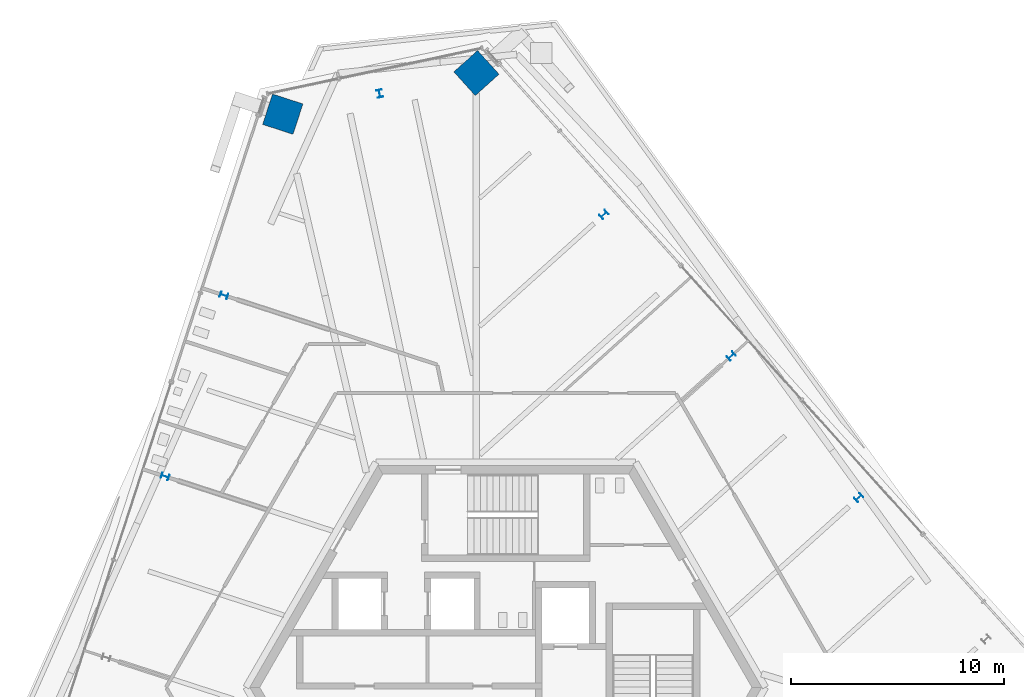
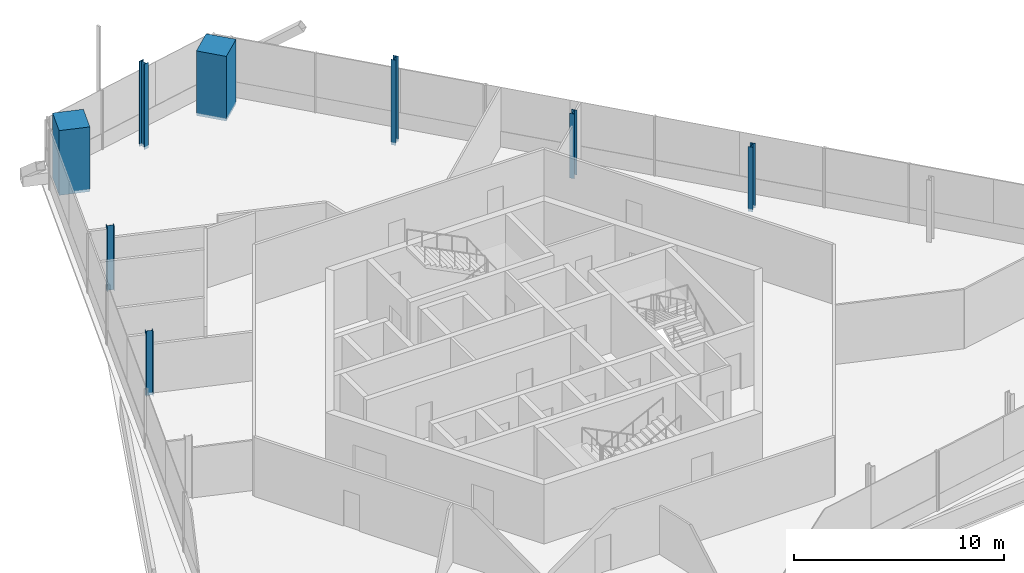
# One storey, part 3 of 20: 8 columns.
"""IFC4 building model written with IfcOpenShell, lengths in metres."""

from ifc_helpers import new_model, si_unit, direction, frame, origin, origin_2d, place, context, subcontext, project, spatial, rectangle, i_section, extrude, source, transform, mapped, material, material_profile, profile_set, type_object, element, save


model = new_model("IFC4")

# Units and contexts
model_context = context("Model", 3, precision=1e-05, world=origin(), true_north=direction((0.0, 1.0)))
body_context = subcontext(model_context, "Body", "Model", "MODEL_VIEW")
ifc_project = project(units=[si_unit("LENGTHUNIT", "METRE"), si_unit("AREAUNIT", "SQUARE_METRE"), si_unit("VOLUMEUNIT", "CUBIC_METRE"), si_unit("PLANEANGLEUNIT", "RADIAN"), si_unit("MASSUNIT", "GRAM", prefix="KILO")], contexts=[model_context])

# Site, building, storey
site_placement = place(None, origin())
site = spatial("IfcSite", under=ifc_project, at=site_placement, CompositionType="ELEMENT")
building_placement = place(site_placement, origin())
building = spatial("IfcBuilding", under=site, at=building_placement, Name="Triune Harvest Tower", CompositionType="ELEMENT")
storey_placement = place(building_placement, frame((0.0, 0.0, 259.5)))
storey = spatial("IfcBuildingStorey", under=building, at=storey_placement, Name="L68", CompositionType="ELEMENT", Elevation=259.5)

# Columns
ifc_material_1 = material(Name="Concrete 70 MPa", Category="concrete")
ifc_material_profile_1 = material_profile(ifc_material_1, rectangle(XDim=1.5, YDim=1.5, at=origin_2d()), Name="Composite 1500x1500")
ifc_profile_set_1 = profile_set([ifc_material_profile_1], Name="Concrete 70 MPa")
column_type_1 = type_object("IfcColumnType", Name="MC-7 Mega column Composite 1500x1500", PredefinedType="COLUMN", material=ifc_profile_set_1)
shared_shape_1 = source(origin(), body_context, "Body", "SweptSolid", [
    extrude(rectangle(XDim=1.5, YDim=1.5, at=origin_2d()), origin(), (0.0, 0.0, 1.0), 3.760009765625),
])
for number, where, z_axis, x_axis, name in (
    (1, (-1.376708984375, 28.794921875, -0.159912109375), (0.0, 0.0, 1.0), (-0.669130606359, 0.743144825477, 0.0), "col/L68/M5"),
    (2, (-10.4541015625, 26.865478515625, -0.159912109375), (0.0, 0.0, 1.0), (-0.309015334468, -0.95105705563, 0.0), "col/L68/M7"),
):
    element("IfcColumn", number, at=place(storey_placement, frame(where, z_axis=z_axis, x_axis=x_axis)), inside=storey, type_object=column_type_1, Name=name, PredefinedType="COLUMN", context=body_context, shape_type="MappedRepresentation", body=[
        mapped(shared_shape_1, transform((0.0, 0.0, 0.0), scale=1.0)),
    ])
ifc_material_2 = material(Name="Steel ASTM A992 Gr 50", Category="steel")
ifc_material_profile_2 = material_profile(ifc_material_2, i_section(OverallWidth=0.256591796875, OverallDepth=0.360595703125, WebThickness=0.011474609375, FlangeThickness=0.02001953125, at=origin_2d()), Name="W14x74")
ifc_profile_set_2 = profile_set([ifc_material_profile_2], Name="Steel ASTM A992 Gr 50")
column_type_2 = type_object("IfcColumnType", Name="PC-7 Perimeter column W14x74", PredefinedType="COLUMN", material=ifc_profile_set_2)
shared_shape_2 = source(origin(), body_context, "Body", "SweptSolid", [
    extrude(i_section(OverallWidth=0.256591796875, OverallDepth=0.360595703125, WebThickness=0.011474609375, FlangeThickness=0.02001953125, at=origin_2d()), origin(), (0.0, 0.0, 1.0), 3.760009765625),
])
for number, where, z_axis, x_axis, name in (
    (3, (16.545166015625, 8.890380859375, -0.159912109375), (0.0, 0.0, 1.0), (-0.669130606359, 0.743144825477, 0.0), "col/L68/P2"),
    (4, (10.5712890625, 15.525146484375, -0.159912109375), (0.0, 0.0, 1.0), (-0.669130606359, 0.743144825477, 0.0), "col/L68/P3"),
    (5, (-13.212890625, 18.37451171875, -0.159912109375), (0.0, 0.0, 1.0), (-0.309015334468, -0.95105705563, 0.0), "col/L68/P8"),
    (6, (-15.971923828125, 9.88330078125, -0.159912109375), (0.0, 0.0, 1.0), (-0.309015334468, -0.95105705563, 0.0), "col/L68/P9"),
):
    element("IfcColumn", number, at=place(storey_placement, frame(where, z_axis=z_axis, x_axis=x_axis)), inside=storey, type_object=column_type_2, Name=name, PredefinedType="COLUMN", context=body_context, shape_type="MappedRepresentation", body=[
        mapped(shared_shape_2, transform((0.0, 0.0, 0.0), scale=1.0)),
    ])
shared_shape_3 = source(origin(), body_context, "Body", "SweptSolid", [
    extrude(i_section(OverallWidth=0.256591796875, OverallDepth=0.360595703125, WebThickness=0.011474609375, FlangeThickness=0.02001953125, at=origin_2d()), origin(), (0.0, 0.0, 1.0), 4.9599609375),
])
for number, where, z_axis, x_axis, name in (
    (7, (4.59716796875, 22.159912109375, -0.159912109375), (0.0, 0.0, 1.0), (-0.669130606359, 0.743144825477, 0.0), "col/L68/P4"),
    (8, (-5.91552734375, 27.830078125, -0.159912109375), (0.0, 0.0, 1.0), (-0.978147600734, -0.207911690818, 0.0), "col/L68/P6"),
):
    element("IfcColumn", number, at=place(storey_placement, frame(where, z_axis=z_axis, x_axis=x_axis)), inside=storey, type_object=column_type_2, Name=name, PredefinedType="COLUMN", context=body_context, shape_type="MappedRepresentation", body=[
        mapped(shared_shape_3, transform((0.0, 0.0, 0.0), scale=1.0)),
    ])

save(model, "model.ifc")
